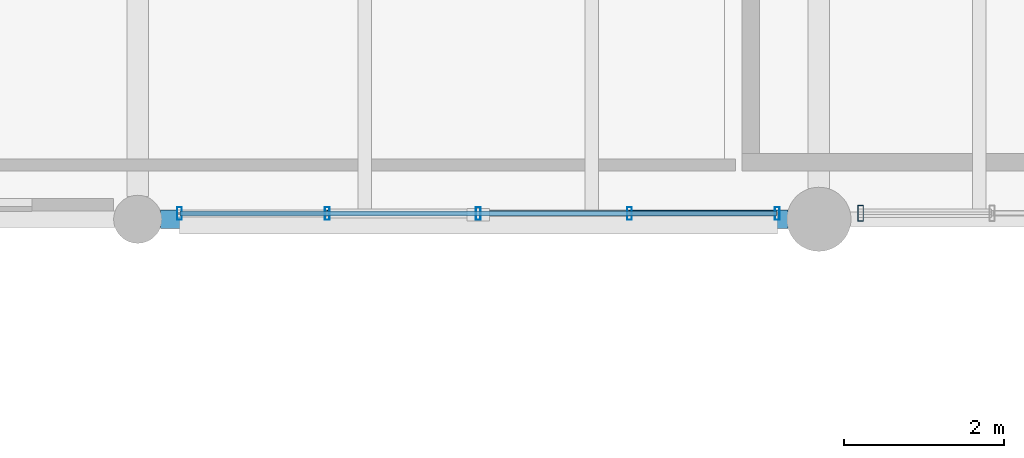
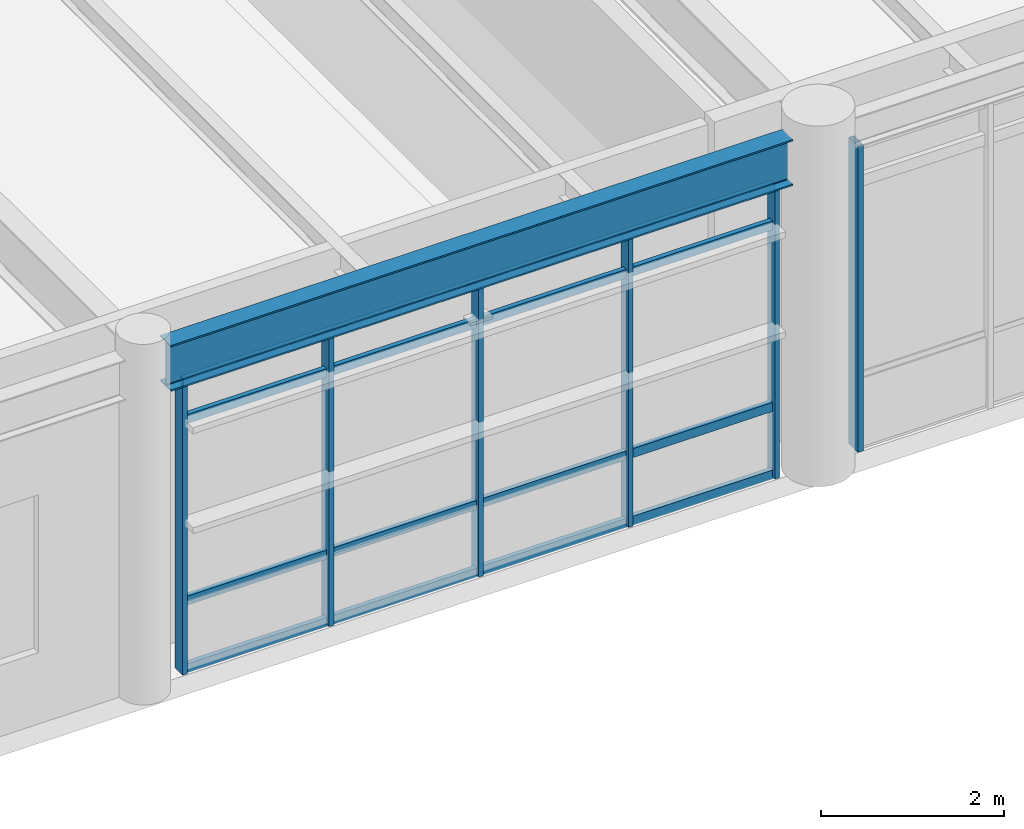
# One storey, part 138 of 200: 10 members, 1 beam, 2 elements without a shape of their own.
"""IFC4 building model written with IfcOpenShell, lengths in metres."""

from ifc_helpers import new_model, si_unit, direction, frame, origin, origin_2d, place, context, subcontext, project, spatial, hollow_rectangle, i_section, extrude, material, material_profile, profile_set, type_object, element, aggregate, save


model = new_model("IFC4")

# Units and contexts
model_context = context("Model", 3, precision=1e-05, world=origin(), true_north=direction((0.0, 1.0)))
body_context = subcontext(model_context, "Body", "Model", "MODEL_VIEW")
ifc_project = project(units=[si_unit("LENGTHUNIT", "METRE"), si_unit("AREAUNIT", "SQUARE_METRE"), si_unit("VOLUMEUNIT", "CUBIC_METRE"), si_unit("PLANEANGLEUNIT", "RADIAN"), si_unit("MASSUNIT", "GRAM", prefix="KILO"), si_unit("THERMODYNAMICTEMPERATUREUNIT", "KELVIN"), si_unit("POWERUNIT", "WATT")], contexts=[model_context])

# Site, building, storey
site_placement = place(None, origin())
site = spatial("IfcSite", under=ifc_project, at=site_placement, CompositionType="ELEMENT")
building_placement = place(site_placement, origin())
building = spatial("IfcBuilding", under=site, at=building_placement, Name="Tepalcoro Natatorium and Aquatics Centre", CompositionType="ELEMENT")
storey_placement = place(building_placement, frame((0.0, 0.0, 5.39990234375)))
storey = spatial("IfcBuildingStorey", under=building, at=storey_placement, Name="L01", CompositionType="ELEMENT", Elevation=5.39990234375)

# Curtain wall, members
ifc_material_1 = material(Name="Bronze-Anodised Extruded Aluminium Alloy EN AW-6063 T6", Category="aluminium")
curtain_wall_type_1 = type_object("IfcCurtainWallType", Name="CW_LEAN_T1_EW", PredefinedType="USERDEFINED", material=ifc_material_1)
curtain_wall_1_placement = place(storey_placement, origin())
curtain_wall_1 = element("IfcCurtainWall", 1, at=curtain_wall_1_placement, inside=storey, type_object=curtain_wall_type_1, Name="V5 L01 S Unitised Curtain Wall Bay 7", ObjectType="FACETED SOLAR GLAZING", PredefinedType="USERDEFINED")
ifc_material_profile_1 = material_profile(ifc_material_1, hollow_rectangle(XDim=0.06005859375, YDim=0.159912109375, WallThickness=0.00390625, at=origin_2d()), Name="AL60X160X4")
ifc_profile_set_1 = profile_set([ifc_material_profile_1], Name="Bronze-Anodised Extruded Aluminium Alloy EN AW-6063 T6")
member_type_1 = type_object("IfcMemberType", Name="CW_MUL_60x160", PredefinedType="MULLION", material=ifc_profile_set_1)
member_1_placement = place(storey_placement, frame((151.02001953125, 86.0712890625, 0.02001953125), z_axis=(0.0, 0.0, 1.0), x_axis=(1.0, 0.0, 0.0)))
member_1 = element("IfcMember", 2, at=member_1_placement, type_object=member_type_1, Name="CW_LEAN_T1_EW Curtain Wall Mullion", PredefinedType="MULLION", context=body_context, shape_type="SweptSolid", body=[
    extrude(hollow_rectangle(XDim=0.06005859375, YDim=0.159912109375, WallThickness=0.00390625, at=origin_2d()), origin(), (0.0, 0.0, 1.0), 3.878173828125),
])
member_2_placement = place(storey_placement, frame((152.864990234375, 86.0712890625, 0.02001953125), z_axis=(0.0, 0.0, 1.0), x_axis=(1.0, 0.0, 0.0)))
member_2 = element("IfcMember", 3, at=member_2_placement, type_object=member_type_1, Name="CW_LEAN_T1_EW Curtain Wall Mullion", PredefinedType="MULLION", context=body_context, shape_type="SweptSolid", body=[
    extrude(hollow_rectangle(XDim=0.06005859375, YDim=0.159912109375, WallThickness=0.00390625, at=origin_2d()), origin(), (0.0, 0.0, 1.0), 3.878173828125),
])
member_3_placement = place(storey_placement, frame((154.75, 86.0712890625, 0.02001953125), z_axis=(0.0, 0.0, 1.0), x_axis=(1.0, 0.0, 0.0)))
member_3 = element("IfcMember", 4, at=member_3_placement, type_object=member_type_1, Name="CW_LEAN_T1_EW Curtain Wall Mullion", PredefinedType="MULLION", context=body_context, shape_type="SweptSolid", body=[
    extrude(hollow_rectangle(XDim=0.06005859375, YDim=0.159912109375, WallThickness=0.00390625, at=origin_2d()), origin(), (0.0, 0.0, 1.0), 3.878173828125),
])
member_4_placement = place(storey_placement, frame((156.635009765625, 86.0712890625, 0.02001953125), z_axis=(0.0, 0.0, 1.0), x_axis=(1.0, 0.0, 0.0)))
member_4 = element("IfcMember", 5, at=member_4_placement, type_object=member_type_1, Name="CW_LEAN_T1_EW Curtain Wall Mullion", PredefinedType="MULLION", context=body_context, shape_type="SweptSolid", body=[
    extrude(hollow_rectangle(XDim=0.06005859375, YDim=0.159912109375, WallThickness=0.00390625, at=origin_2d()), origin(), (0.0, 0.0, 1.0), 3.878173828125),
])
member_5_placement = place(storey_placement, frame((158.47998046875, 86.0712890625, 0.02001953125), z_axis=(0.0, 0.0, 1.0), x_axis=(1.0, 0.0, 0.0)))
member_5 = element("IfcMember", 6, at=member_5_placement, type_object=member_type_1, Name="CW_LEAN_T1_EW Curtain Wall Mullion", PredefinedType="MULLION", context=body_context, shape_type="SweptSolid", body=[
    extrude(hollow_rectangle(XDim=0.06005859375, YDim=0.159912109375, WallThickness=0.00390625, at=origin_2d()), origin(), (0.0, 0.0, 1.0), 3.878173828125),
])

# Curtain wall, member
curtain_wall_type_2 = type_object("IfcCurtainWallType", Name="CW_LEAN_T2_NS", PredefinedType="USERDEFINED", material=ifc_material_1)
curtain_wall_2_placement = place(storey_placement, origin())
curtain_wall_2 = element("IfcCurtainWall", 7, at=curtain_wall_2_placement, inside=storey, type_object=curtain_wall_type_2, Name="V5 L01 S Unitised Curtain Wall Bay 8", ObjectType="FACETED SOLAR GLAZING", PredefinedType="USERDEFINED")
ifc_material_profile_2 = material_profile(ifc_material_1, hollow_rectangle(XDim=0.070068359375, YDim=0.199951171875, WallThickness=0.0048828125, at=origin_2d()), Name="AL70X200X5")
ifc_profile_set_2 = profile_set([ifc_material_profile_2], Name="Bronze-Anodised Extruded Aluminium Alloy EN AW-6063 T6")
member_type_2 = type_object("IfcMemberType", Name="CW_MUL_70x200", PredefinedType="MULLION", material=ifc_profile_set_2)
member_6_placement = place(storey_placement, frame((159.52001953125, 86.076171875, 0.02001953125), z_axis=(0.0, 0.0, 1.0), x_axis=(1.0, 0.0, 0.0)))
member_6 = element("IfcMember", 8, at=member_6_placement, type_object=member_type_2, Name="CW_LEAN_T2_NS Curtain Wall Mullion", PredefinedType="MULLION", context=body_context, shape_type="SweptSolid", body=[
    extrude(hollow_rectangle(XDim=0.070068359375, YDim=0.199951171875, WallThickness=0.0048828125, at=origin_2d()), origin(), (0.0, 0.0, 1.0), 4.0771484375),
])
aggregate(curtain_wall_2, [member_6])

# Member
ifc_material_profile_3 = material_profile(ifc_material_1, hollow_rectangle(XDim=0.06005859375, YDim=0.1201171875, WallThickness=0.00390625, at=origin_2d()), Name="AL60X120X4")
ifc_profile_set_3 = profile_set([ifc_material_profile_3], Name="Bronze-Anodised Extruded Aluminium Alloy EN AW-6063 T6")
member_type_3 = type_object("IfcMemberType", Name="CW_TRN_60x120", PredefinedType="USERDEFINED", material=ifc_profile_set_3)
member_7_placement = place(storey_placement, frame((151.030029296875, 86.0712890625, 0.050048828125), z_axis=(1.0, 0.0, 0.0), x_axis=(0.0, 1.0, 0.0)))
member_7 = element("IfcMember", 9, at=member_7_placement, type_object=member_type_3, Name="CW_LEAN_T1_EW Curtain Wall Transom", ObjectType="TRANSOM", PredefinedType="USERDEFINED", context=body_context, shape_type="SweptSolid", body=[
    extrude(hollow_rectangle(XDim=0.06005859375, YDim=0.1201171875, WallThickness=0.00390625, at=origin_2d()), origin(), (0.0, 0.0, 1.0), 7.43994140625),
])

member_8_placement = place(storey_placement, frame((151.030029296875, 86.0712890625, 0.9501953125), z_axis=(1.0, 0.0, 0.0), x_axis=(0.0, 1.0, 0.0)))
member_8 = element("IfcMember", 10, at=member_8_placement, type_object=member_type_3, Name="CW_LEAN_T1_EW Curtain Wall Transom", ObjectType="TRANSOM", PredefinedType="USERDEFINED", context=body_context, shape_type="SweptSolid", body=[
    extrude(hollow_rectangle(XDim=0.06005859375, YDim=0.1201171875, WallThickness=0.00390625, at=origin_2d()), origin(), (0.0, 0.0, 1.0), 7.43994140625),
])

member_9_placement = place(storey_placement, frame((151.030029296875, 86.0712890625, 3.3681640625), z_axis=(1.0, 0.0, 0.0), x_axis=(0.0, 1.0, 0.0)))
member_9 = element("IfcMember", 11, at=member_9_placement, type_object=member_type_3, Name="CW_LEAN_T1_EW Curtain Wall Transom", ObjectType="TRANSOM", PredefinedType="USERDEFINED", context=body_context, shape_type="SweptSolid", body=[
    extrude(hollow_rectangle(XDim=0.06005859375, YDim=0.1201171875, WallThickness=0.00390625, at=origin_2d()), origin(), (0.0, 0.0, 1.0), 7.43994140625),
])

member_10_placement = place(storey_placement, frame((151.030029296875, 86.0712890625, 3.8681640625), z_axis=(1.0, 0.0, 0.0), x_axis=(0.0, 1.0, 0.0)))
member_10 = element("IfcMember", 12, at=member_10_placement, type_object=member_type_3, Name="CW_LEAN_T1_EW Curtain Wall Transom", ObjectType="TRANSOM", PredefinedType="USERDEFINED", context=body_context, shape_type="SweptSolid", body=[
    extrude(hollow_rectangle(XDim=0.06005859375, YDim=0.1201171875, WallThickness=0.00390625, at=origin_2d()), origin(), (0.0, 0.0, 1.0), 7.43994140625),
])

aggregate(curtain_wall_1, [member_1, member_2, member_3, member_4, member_5, member_7, member_8, member_9, member_10])

# Beam
ifc_material_2 = material(Name="Steel ASTM A992 Grade 50 (Fy 345 MPa)", Category="steel")
ifc_material_profile_4 = material_profile(ifc_material_2, i_section(OverallWidth=0.22900390625, OverallDepth=0.612060546875, WebThickness=0.011962890625, FlangeThickness=0.02001953125, FilletRadius=0.013916015625, at=origin_2d()), Name="W24X84")
ifc_profile_set_4 = profile_set([ifc_material_profile_4], Name="Steel ASTM A992 Grade 50 (Fy 345 MPa)")
beam_type = type_object("IfcBeamType", Name="SP_W24x84", PredefinedType="SPANDREL", material=ifc_profile_set_4)
beam_placement = place(storey_placement, frame((150.784912109375, 86.0, 4.239013671875), z_axis=(1.0, 0.0, 0.0), x_axis=(0.0, 1.0, 0.0)))
element("IfcBeam", 13, at=beam_placement, inside=storey, type_object=beam_type, Name="V5 L01 Grid Girder X", PredefinedType="SPANDREL", context=body_context, shape_type="SweptSolid", body=[
    extrude(i_section(OverallWidth=0.22900390625, OverallDepth=0.612060546875, WebThickness=0.011962890625, FlangeThickness=0.02001953125, FilletRadius=0.013916015625, at=origin_2d()), origin(), (0.0, 0.0, 1.0), 7.830078125),
])

save(model, "model.ifc")
